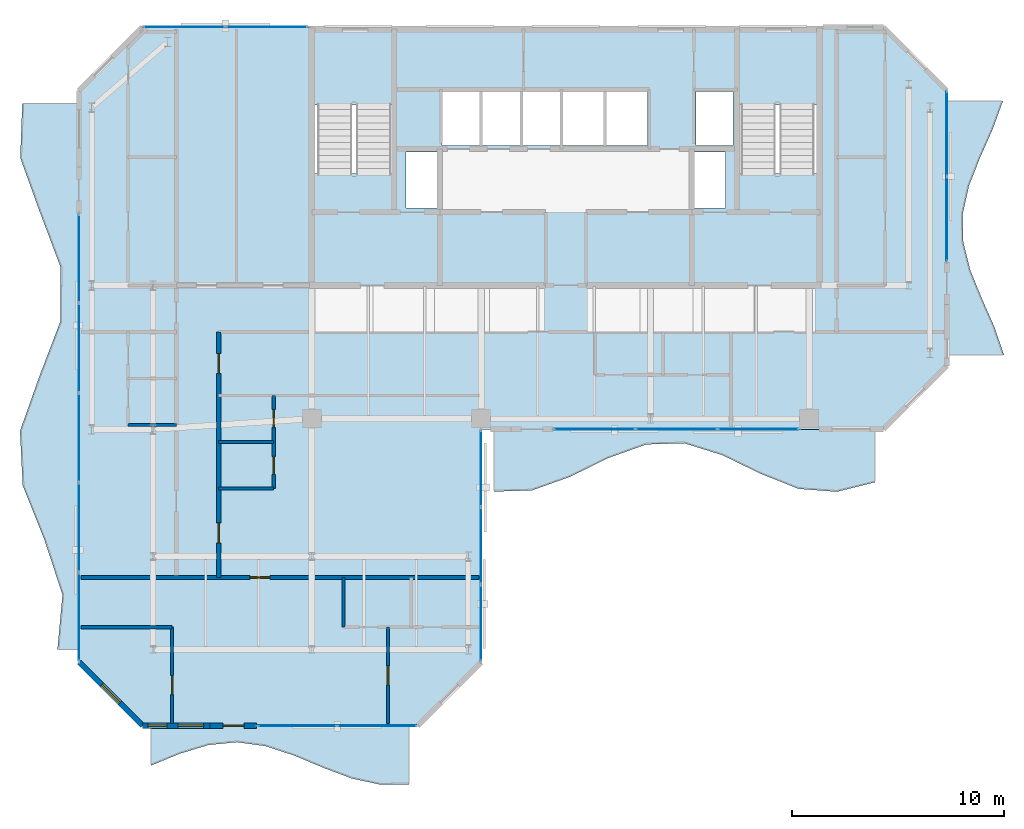
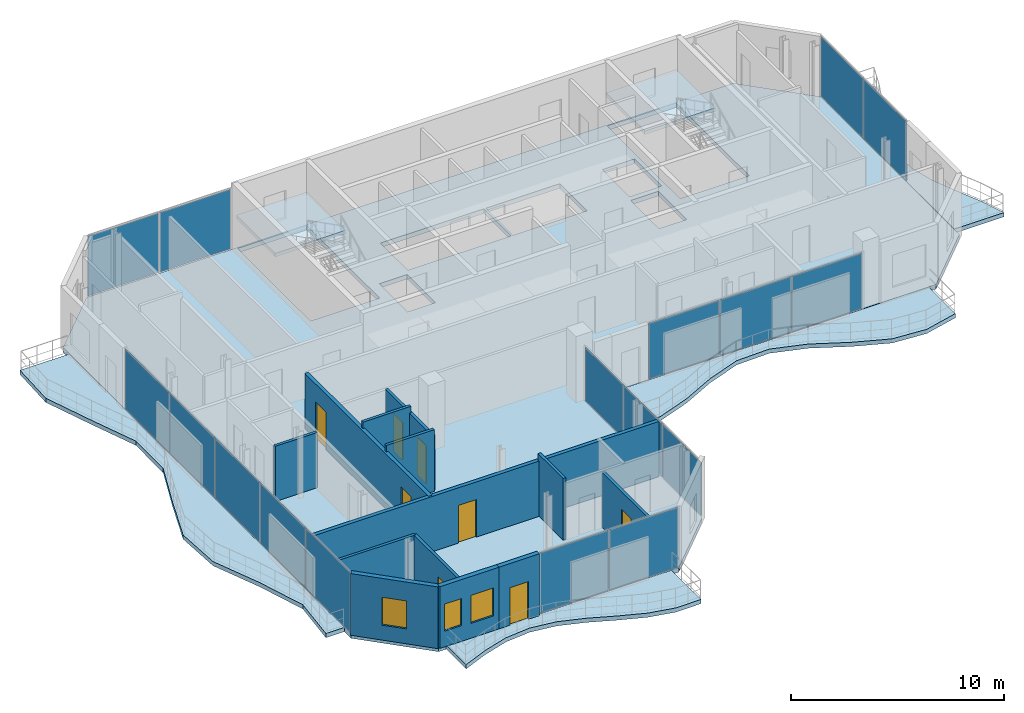
# One storey, part 17 of 23: 17 plates, 13 walls, 8 doors, 7 slabs, 3 windows, 11 openings, 8 elements without a shape of their own.
"""IFC4 building model written with IfcOpenShell, lengths in metres."""

from ifc_helpers import new_model, si_unit, direction, frame, frame_2d, origin, origin_2d, place, context, subcontext, project, spatial, polyline, rectangle, outline, extrude, material, layer, layer_set, type_object, element, fill, aggregate, save


model = new_model("IFC4")

# Units and contexts
model_context = context("Model", 3, precision=1e-05, world=origin(), true_north=direction((0.0, 1.0)))
body_context = subcontext(model_context, "Body", "Model", "MODEL_VIEW")
ifc_project = project(units=[si_unit("LENGTHUNIT", "METRE"), si_unit("AREAUNIT", "SQUARE_METRE"), si_unit("VOLUMEUNIT", "CUBIC_METRE"), si_unit("PLANEANGLEUNIT", "RADIAN"), si_unit("MASSUNIT", "GRAM", prefix="KILO")], contexts=[model_context])

# Site, building, storey
site_placement = place(None, origin())
site = spatial("IfcSite", under=ifc_project, at=site_placement, CompositionType="ELEMENT")
building_placement = place(site_placement, origin())
building = spatial("IfcBuilding", under=site, at=building_placement, Name="Catumbela Crestline Tower", CompositionType="ELEMENT")
storey_placement = place(building_placement, frame((0.0, 0.0, 245.0)))
storey = spatial("IfcBuildingStorey", under=building, at=storey_placement, Name="L63", CompositionType="ELEMENT", Elevation=245.0)

# Curtain wall, plates
ifc_material_1 = material(Name="Aluminium alloy AW-6060-T66", Category="aluminium")
ifc_layer_1 = layer(ifc_material_1, 0.18, Name="Aluminium alloy AW-6060-T66")
ifc_layer_set_1 = layer_set([ifc_layer_1], Name="Aluminium alloy AW-6060-T66")
curtain_wall_type = type_object("IfcCurtainWallType", Name="CWU-Z4", PredefinedType="USERDEFINED", material=ifc_layer_set_1)
curtain_wall_1_placement = place(storey_placement, origin())
curtain_wall_1 = element("IfcCurtainWall", 1, at=curtain_wall_1_placement, inside=storey, type_object=curtain_wall_type, Name="L63 Unitised Curtain Wall CW-L63-E0S2", ObjectType="UNITISED", PredefinedType="USERDEFINED")
ifc_material_2 = material(Name="Low-E laminated solar-control double glazing", Category="glass")
ifc_layer_2 = layer(ifc_material_2, 0.036, Name="Low-E laminated solar-control double glazing")
ifc_layer_set_2 = layer_set([ifc_layer_2], Name="Low-E laminated solar-control double glazing")
plate_type = type_object("IfcPlateType", Name="PNL-GLZ-Z4", PredefinedType="CURTAIN_PANEL", material=ifc_layer_set_2)
plate_1_placement = place(storey_placement, frame((15.3162, 10.0, 0.06), z_axis=(0.0, 0.0, 1.0), x_axis=(1.0, 0.0, 0.0)))
plate_1 = element("IfcPlate", 2, at=plate_1_placement, type_object=plate_type, Name="CWU-Z4 panel 1.1", PredefinedType="CURTAIN_PANEL", context=body_context, shape_type="SweptSolid", body=[
    extrude(rectangle(XDim=3.7025, YDim=0.034, at=origin_2d()), origin(), (0.0, 0.0, 1.0), 3.41),
])
plate_2_placement = place(storey_placement, frame((19.0837, 10.0, 0.06), z_axis=(0.0, 0.0, 1.0), x_axis=(1.0, 0.0, 0.0)))
plate_2 = element("IfcPlate", 3, at=plate_2_placement, type_object=plate_type, Name="CWU-Z4 panel 2.1", PredefinedType="CURTAIN_PANEL", context=body_context, shape_type="SweptSolid", body=[
    extrude(rectangle(XDim=3.7025, YDim=0.034, at=origin_2d()), origin(), (0.0, 0.0, 1.0), 3.41),
])
aggregate(curtain_wall_1, [plate_1, plate_2])

curtain_wall_2_placement = place(storey_placement, origin())
curtain_wall_2 = element("IfcCurtainWall", 4, at=curtain_wall_2_placement, inside=storey, type_object=curtain_wall_type, Name="L63 Unitised Curtain Wall CW-L63-E2S1", ObjectType="UNITISED", PredefinedType="USERDEFINED")
plate_3_placement = place(storey_placement, frame((24.0, 14.8496, 0.06), z_axis=(0.0, 0.0, 1.0), x_axis=(0.0, 1.0, 0.0)))
plate_3 = element("IfcPlate", 5, at=plate_3_placement, type_object=plate_type, Name="CWU-Z4 panel 1.1", PredefinedType="CURTAIN_PANEL", context=body_context, shape_type="SweptSolid", body=[
    extrude(rectangle(XDim=3.5692, YDim=0.034, at=origin_2d()), origin(), (0.0, 0.0, 1.0), 3.04),
])
plate_4_placement = place(storey_placement, frame((24.0, 18.5, 0.06), z_axis=(0.0, 0.0, 1.0), x_axis=(0.0, 1.0, 0.0)))
plate_4 = element("IfcPlate", 6, at=plate_4_placement, type_object=plate_type, Name="CWU-Z4 panel 2.1", PredefinedType="CURTAIN_PANEL", context=body_context, shape_type="SweptSolid", body=[
    extrude(rectangle(XDim=3.6017, YDim=0.034, at=origin_2d()), origin(), (0.0, 0.0, 1.0), 3.04),
])
plate_5_placement = place(storey_placement, frame((24.0, 22.1504, 0.06), z_axis=(0.0, 0.0, 1.0), x_axis=(0.0, 1.0, 0.0)))
plate_5 = element("IfcPlate", 7, at=plate_5_placement, type_object=plate_type, Name="CWU-Z4 panel 3.1", PredefinedType="CURTAIN_PANEL", context=body_context, shape_type="SweptSolid", body=[
    extrude(rectangle(XDim=3.5692, YDim=0.034, at=origin_2d()), origin(), (0.0, 0.0, 1.0), 3.04),
])
aggregate(curtain_wall_2, [plate_3, plate_4, plate_5])

curtain_wall_3_placement = place(storey_placement, origin())
curtain_wall_3 = element("IfcCurtainWall", 8, at=curtain_wall_3_placement, inside=storey, type_object=curtain_wall_type, Name="L63 Unitised Curtain Wall CW-L63-E3S2", ObjectType="UNITISED", PredefinedType="USERDEFINED")
plate_6_placement = place(storey_placement, frame((29.3579, 24.0, 0.06), z_axis=(0.0, 0.0, 1.0), x_axis=(1.0, 0.0, 0.0)))
plate_6 = element("IfcPlate", 9, at=plate_6_placement, type_object=plate_type, Name="CWU-Z4 panel 1.1", PredefinedType="CURTAIN_PANEL", context=body_context, shape_type="SweptSolid", body=[
    extrude(rectangle(XDim=3.7858, YDim=0.034, at=origin_2d()), origin(), (0.0, 0.0, 1.0), 3.15),
])
plate_7_placement = place(storey_placement, frame((33.225, 24.0, 0.06), z_axis=(0.0, 0.0, 1.0), x_axis=(1.0, 0.0, 0.0)))
plate_7 = element("IfcPlate", 10, at=plate_7_placement, type_object=plate_type, Name="CWU-Z4 panel 2.1", PredefinedType="CURTAIN_PANEL", context=body_context, shape_type="SweptSolid", body=[
    extrude(rectangle(XDim=3.8183, YDim=0.034, at=origin_2d()), origin(), (0.0, 0.0, 1.0), 3.15),
])
plate_8_placement = place(storey_placement, frame((37.0921, 24.0, 0.06), z_axis=(0.0, 0.0, 1.0), x_axis=(1.0, 0.0, 0.0)))
plate_8 = element("IfcPlate", 11, at=plate_8_placement, type_object=plate_type, Name="CWU-Z4 panel 3.1", PredefinedType="CURTAIN_PANEL", context=body_context, shape_type="SweptSolid", body=[
    extrude(rectangle(XDim=3.7858, YDim=0.034, at=origin_2d()), origin(), (0.0, 0.0, 1.0), 3.15),
])
aggregate(curtain_wall_3, [plate_6, plate_7, plate_8])

curtain_wall_4_placement = place(storey_placement, origin())
curtain_wall_4 = element("IfcCurtainWall", 12, at=curtain_wall_4_placement, inside=storey, type_object=curtain_wall_type, Name="L63 Unitised Curtain Wall CW-L63-E5S2", ObjectType="UNITISED", PredefinedType="USERDEFINED")
plate_9_placement = place(storey_placement, frame((46.0, 33.9412, 0.06), z_axis=(0.0, 0.0, 1.0), x_axis=(0.0, 1.0, 0.0)))
plate_9 = element("IfcPlate", 13, at=plate_9_placement, type_object=plate_type, Name="CWU-Z4 panel 1.1", PredefinedType="CURTAIN_PANEL", context=body_context, shape_type="SweptSolid", body=[
    extrude(rectangle(XDim=3.9525, YDim=0.034, at=origin_2d()), origin(), (0.0, 0.0, 1.0), 3.41),
])
plate_10_placement = place(storey_placement, frame((46.0, 37.9588, 0.06), z_axis=(0.0, 0.0, 1.0), x_axis=(0.0, 1.0, 0.0)))
plate_10 = element("IfcPlate", 14, at=plate_10_placement, type_object=plate_type, Name="CWU-Z4 panel 2.1", PredefinedType="CURTAIN_PANEL", context=body_context, shape_type="SweptSolid", body=[
    extrude(rectangle(XDim=3.9525, YDim=0.034, at=origin_2d()), origin(), (0.0, 0.0, 1.0), 3.41),
])
aggregate(curtain_wall_4, [plate_9, plate_10])

curtain_wall_5_placement = place(storey_placement, origin())
curtain_wall_5 = element("IfcCurtainWall", 15, at=curtain_wall_5_placement, inside=storey, type_object=curtain_wall_type, Name="L63 Unitised Curtain Wall CW-L63-E7S2", ObjectType="UNITISED", PredefinedType="USERDEFINED")
plate_11_placement = place(storey_placement, frame((13.8788, 43.0, 0.06), z_axis=(0.0, 0.0, 1.0), x_axis=(-1.0, 0.0, 0.0)))
plate_11 = element("IfcPlate", 16, at=plate_11_placement, type_object=plate_type, Name="CWU-Z4 panel 1.1", PredefinedType="CURTAIN_PANEL", context=body_context, shape_type="SweptSolid", body=[
    extrude(rectangle(XDim=3.8325, YDim=0.034, at=origin_2d()), origin(), (0.0, 0.0, 1.0), 3.41),
])
plate_12_placement = place(storey_placement, frame((9.9812, 43.0, 0.06), z_axis=(0.0, 0.0, 1.0), x_axis=(-1.0, 0.0, 0.0)))
plate_12 = element("IfcPlate", 17, at=plate_12_placement, type_object=plate_type, Name="CWU-Z4 panel 2.1", PredefinedType="CURTAIN_PANEL", context=body_context, shape_type="SweptSolid", body=[
    extrude(rectangle(XDim=3.8325, YDim=0.034, at=origin_2d()), origin(), (0.0, 0.0, 1.0), 3.41),
])
aggregate(curtain_wall_5, [plate_11, plate_12])

curtain_wall_6_placement = place(storey_placement, origin())
curtain_wall_6 = element("IfcCurtainWall", 18, at=curtain_wall_6_placement, inside=storey, type_object=curtain_wall_type, Name="L63 Unitised Curtain Wall CW-L63-E9S2", ObjectType="UNITISED", PredefinedType="USERDEFINED")
plate_13_placement = place(storey_placement, frame((5.0, 32.0638, 0.06), z_axis=(0.0, 0.0, 1.0), x_axis=(0.0, -1.0, 0.0)))
plate_13 = element("IfcPlate", 19, at=plate_13_placement, type_object=plate_type, Name="CWU-Z4 panel 1.1", PredefinedType="CURTAIN_PANEL", context=body_context, shape_type="SweptSolid", body=[
    extrude(rectangle(XDim=4.1425, YDim=0.034, at=origin_2d()), origin(), (0.0, 0.0, 1.0), 3.41),
])
plate_14_placement = place(storey_placement, frame((5.0, 27.84, 0.06), z_axis=(0.0, 0.0, 1.0), x_axis=(0.0, -1.0, 0.0)))
plate_14 = element("IfcPlate", 20, at=plate_14_placement, type_object=plate_type, Name="CWU-Z4 panel 2.1", PredefinedType="CURTAIN_PANEL", context=body_context, shape_type="SweptSolid", body=[
    extrude(rectangle(XDim=4.175, YDim=0.034, at=origin_2d()), origin(), (0.0, 0.0, 1.0), 3.41),
])
plate_15_placement = place(storey_placement, frame((5.0, 23.6, 0.06), z_axis=(0.0, 0.0, 1.0), x_axis=(0.0, -1.0, 0.0)))
plate_15 = element("IfcPlate", 21, at=plate_15_placement, type_object=plate_type, Name="CWU-Z4 panel 3.1", PredefinedType="CURTAIN_PANEL", context=body_context, shape_type="SweptSolid", body=[
    extrude(rectangle(XDim=4.175, YDim=0.034, at=origin_2d()), origin(), (0.0, 0.0, 1.0), 3.41),
])
plate_16_placement = place(storey_placement, frame((5.0, 19.36, 0.06), z_axis=(0.0, 0.0, 1.0), x_axis=(0.0, -1.0, 0.0)))
plate_16 = element("IfcPlate", 22, at=plate_16_placement, type_object=plate_type, Name="CWU-Z4 panel 4.1", PredefinedType="CURTAIN_PANEL", context=body_context, shape_type="SweptSolid", body=[
    extrude(rectangle(XDim=4.175, YDim=0.034, at=origin_2d()), origin(), (0.0, 0.0, 1.0), 3.41),
])
plate_17_placement = place(storey_placement, frame((5.0, 15.1362, 0.06), z_axis=(0.0, 0.0, 1.0), x_axis=(0.0, -1.0, 0.0)))
plate_17 = element("IfcPlate", 23, at=plate_17_placement, type_object=plate_type, Name="CWU-Z4 panel 5.1", PredefinedType="CURTAIN_PANEL", context=body_context, shape_type="SweptSolid", body=[
    extrude(rectangle(XDim=4.1425, YDim=0.034, at=origin_2d()), origin(), (0.0, 0.0, 1.0), 3.41),
])
aggregate(curtain_wall_6, [plate_13, plate_14, plate_15, plate_16, plate_17])

# Stair, slab
ifc_material_3 = material(Name="Concrete C45/55", Category="concrete")
stair_type = type_object("IfcStairType", Name="ST-DLG", PredefinedType="HALF_TURN_STAIR", material=ifc_material_3)
stair_1_placement = place(storey_placement, origin())
stair_1 = element("IfcStair", 24, at=stair_1_placement, inside=storey, type_object=stair_type, Name="L63 West Core Pressurised Exit Stair ST-01", PredefinedType="HALF_TURN_STAIR")
ifc_layer_3 = layer(ifc_material_3, 0.2, Name="Concrete C45/55")
ifc_layer_set_3 = layer_set([ifc_layer_3], Name="Concrete C45/55")
slab_type_1 = type_object("IfcSlabType", Name="SL-LND", PredefinedType="LANDING", material=ifc_layer_set_3)
slab_1_placement = place(storey_placement, frame((0.0, 0.0, 1.7)))
slab_1 = element("IfcSlab", 25, at=slab_1_placement, type_object=slab_type_1, Name="ST-01 landing 1", PredefinedType="LANDING", context=body_context, shape_type="SweptSolid", body=[
    extrude(outline(polyline([(19.91, 39.33), (19.91, 42.96), (16.09, 42.96), (16.09, 39.33), (19.91, 39.33)])), origin(), (0.0, 0.0, 1.0), 0.2),
])
aggregate(stair_1, [slab_1])

stair_2_placement = place(storey_placement, origin())
stair_2 = element("IfcStair", 26, at=stair_2_placement, inside=storey, type_object=stair_type, Name="L63 East Core Pressurised Exit Stair ST-02", PredefinedType="HALF_TURN_STAIR")
slab_2_placement = place(storey_placement, frame((0.0, 0.0, 1.7)))
slab_2 = element("IfcSlab", 27, at=slab_2_placement, type_object=slab_type_1, Name="ST-02 landing 1", PredefinedType="LANDING", context=body_context, shape_type="SweptSolid", body=[
    extrude(outline(polyline([(39.91, 39.33), (39.91, 42.96), (36.09, 42.96), (36.09, 39.33), (39.91, 39.33)])), origin(), (0.0, 0.0, 1.0), 0.2),
])
aggregate(stair_2, [slab_2])

# Slabs
ifc_layer_4 = layer(ifc_material_3, 0.26, Name="Concrete C45/55")
ifc_layer_set_4 = layer_set([ifc_layer_4], Name="Concrete C45/55")
slab_type_2 = type_object("IfcSlabType", Name="SL-260", PredefinedType="FLOOR", material=ifc_layer_set_4)
slab_3_placement = place(storey_placement, frame((0.0, 0.0, -0.26)))
element("IfcSlab", 28, at=slab_3_placement, inside=storey, type_object=slab_type_2, Name="L63 Structural Floor Slab", PredefinedType="FLOOR", context=body_context, shape_type="SweptSolid", body=[
    extrude(outline(polyline([(8.0, 10.0), (21.0, 10.0), (24.0, 13.0), (24.0, 24.0), (43.0, 24.0), (46.0, 27.0), (46.0, 40.0), (43.0, 43.0), (8.0, 43.0), (5.0, 40.0), (5.0, 13.0), (8.0, 10.0)]), holes=[polyline([(16.13, 36.08), (19.87, 36.08), (19.87, 42.92), (16.13, 42.92), (16.13, 36.08)]), polyline([(36.13, 36.08), (39.87, 36.08), (39.87, 42.92), (36.13, 42.92), (36.13, 36.08)]), polyline([(22.15, 37.4), (27.75, 37.4), (27.75, 39.95), (22.15, 39.95), (22.15, 37.4)]), polyline([(27.85, 37.4), (31.85, 37.4), (31.85, 39.95), (27.85, 39.95), (27.85, 37.4)]), polyline([(20.45, 34.45), (21.95, 34.45), (21.95, 37.1), (20.45, 37.1), (20.45, 34.45)]), polyline([(34.05, 34.45), (35.55, 34.45), (35.55, 37.1), (34.05, 37.1), (34.05, 34.45)]), polyline([(34.15, 37.4), (35.9, 37.4), (35.9, 39.95), (34.15, 39.95), (34.15, 37.4)])]), origin(), (0.0, 0.0, 1.0), 0.26),
])
ifc_layer_5 = layer(ifc_material_3, 0.24, Name="Concrete C45/55")
ifc_layer_set_5 = layer_set([ifc_layer_5], Name="Concrete C45/55")
slab_type_3 = type_object("IfcSlabType", Name="SB-240W", PredefinedType="USERDEFINED", material=ifc_layer_set_5)
slab_4_placement = place(storey_placement, frame((0.0, 0.0, -0.24)))
element("IfcSlab", 29, at=slab_4_placement, inside=storey, type_object=slab_type_3, Name="L63 Cantilevered Wave Balcony Slab SPINE-S", ObjectType="BALCONY", PredefinedType="USERDEFINED", context=body_context, shape_type="SweptSolid", body=[
    extrude(outline(polyline([(24.6, 21.0587), (26.4, 21.1142), (28.2, 21.7583), (30.0, 22.6417), (31.8, 23.2858), (33.6, 23.3413), (35.4, 22.7781), (37.2, 21.9016), (39.0, 21.1868), (40.8, 21.05), (42.6, 21.4947), (42.6, 23.99), (24.6, 23.99), (24.6, 21.0587)])), origin(), (0.0, 0.0, 1.0), 0.24),
])
slab_5_placement = place(storey_placement, frame((0.0, 0.0, -0.24)))
element("IfcSlab", 30, at=slab_5_placement, inside=storey, type_object=slab_type_3, Name="L63 Cantilevered Wave Balcony Slab SPINE-E", ObjectType="BALCONY", PredefinedType="USERDEFINED", context=body_context, shape_type="SweptSolid", body=[
    extrude(outline(polyline([(46.01, 27.5), (48.6999, 27.5), (48.2467, 28.8333), (47.6578, 30.1667), (47.1121, 31.5), (46.7754, 32.8333), (46.7501, 34.1667), (47.0439, 35.5), (47.5675, 36.8333), (48.1617, 38.1667), (48.646, 39.5), (46.01, 39.5), (46.01, 27.5)])), origin(), (0.0, 0.0, 1.0), 0.24),
])
slab_6_placement = place(storey_placement, frame((0.0, 0.0, -0.24)))
element("IfcSlab", 31, at=slab_6_placement, inside=storey, type_object=slab_type_3, Name="L63 Cantilevered Wave Balcony Slab WING-S", ObjectType="BALCONY", PredefinedType="USERDEFINED", context=body_context, shape_type="SweptSolid", body=[
    extrude(outline(polyline([(8.4, 8.1134), (9.7556, 8.6736), (11.1111, 9.0851), (12.4667, 9.2188), (13.8222, 9.0328), (15.1778, 8.5854), (16.5333, 8.0171), (17.8889, 7.5061), (19.2444, 7.2129), (20.6, 7.2296), (20.6, 9.99), (8.4, 9.99), (8.4, 8.1134)])), origin(), (0.0, 0.0, 1.0), 0.24),
])
slab_7_placement = place(storey_placement, frame((0.0, 0.0, -0.24)))
element("IfcSlab", 32, at=slab_7_placement, inside=storey, type_object=slab_type_3, Name="L63 Cantilevered Wave Balcony Slab WEST", ObjectType="BALCONY", PredefinedType="USERDEFINED", context=body_context, shape_type="SweptSolid", body=[
    extrude(outline(polyline([(4.99, 39.4), (2.3251, 39.4), (2.2295, 36.82), (3.1612, 34.24), (4.134, 31.66), (4.1181, 29.08), (3.1303, 26.5), (2.2163, 23.92), (2.3437, 21.34), (3.3775, 18.76), (4.2235, 16.18), (3.986, 13.6), (4.99, 13.6), (4.99, 39.4)])), origin(), (0.0, 0.0, 1.0), 0.24),
])

# Wall, openings, doors
ifc_material_4 = material(Name="Acoustic gypsum and mineral-wool partition")
ifc_layer_6 = layer(ifc_material_4, 0.2, Name="Acoustic gypsum and mineral-wool partition")
ifc_layer_set_6 = layer_set([ifc_layer_6], Name="Acoustic gypsum and mineral-wool partition")
wall_type_1 = type_object("IfcWallType", Name="WC-200", PredefinedType="PARTITIONING", material=ifc_layer_set_6)
wall_1_placement = place(storey_placement, frame((11.6, 17.0, 0.0), z_axis=(0.0, 0.0, 1.0), x_axis=(0.0, 1.0, 0.0)))
wall_1 = element("IfcWall", 33, at=wall_1_placement, inside=storey, type_object=wall_type_1, Name="L63 Interior Partition PW-L63-RWAM-ENT", PredefinedType="PARTITIONING", context=body_context, shape_type="SweptSolid", body=[
    extrude(rectangle(XDim=11.6, YDim=0.2, at=frame_2d((5.8, 0.0))), origin(), (0.0, 0.0, 1.0), 3.16),
])
opening_1_placement = place(wall_1_placement, frame((9.625, 0.0, 0.0)))
opening_1 = element("IfcOpeningElement", 34, at=opening_1_placement, cuts=wall_1, Name="Opening DF6-095", PredefinedType="OPENING", context=body_context, shape_type="SweptSolid", body=[
    extrude(rectangle(XDim=0.95, YDim=2.15, at=frame_2d((0.475, 1.075))), frame((0.0, 0.11, 0.0), z_axis=(0.0, -1.0, 0.0), x_axis=(1.0, 0.0, 0.0)), (0.0, 0.0, 1.0), 0.22),
])
opening_2_placement = place(wall_1_placement, frame((1.625, 0.0, 0.0)))
opening_2 = element("IfcOpeningElement", 35, at=opening_2_placement, cuts=wall_1, Name="Opening DF6-095", PredefinedType="OPENING", context=body_context, shape_type="SweptSolid", body=[
    extrude(rectangle(XDim=0.95, YDim=2.15, at=frame_2d((0.475, 1.075))), frame((0.0, 0.11, 0.0), z_axis=(0.0, -1.0, 0.0), x_axis=(1.0, 0.0, 0.0)), (0.0, 0.0, 1.0), 0.22),
])
door_type_1 = type_object("IfcDoorType", Name="DF6-095", OperationType="NOTDEFINED", PredefinedType="DOOR", material=ifc_material_1)
door_1_placement = place(opening_1_placement, origin())
door_1 = element("IfcDoor", 36, at=door_1_placement, inside=storey, type_object=door_type_1, Name="L63 Interior Door DR-L63-RWAM-ENT", OperationType="SINGLE_SWING_RIGHT", OverallHeight=2.15, OverallWidth=0.95, PredefinedType="DOOR", context=body_context, shape_type="SweptSolid", body=[
    extrude(rectangle(XDim=0.95, YDim=2.15, at=frame_2d((0.475, 1.075))), frame((0.0, 0.025, 0.0), z_axis=(0.0, -1.0, 0.0), x_axis=(1.0, 0.0, 0.0)), (0.0, 0.0, 1.0), 0.05),
])
fill(opening_1, door_1)
door_2_placement = place(opening_2_placement, origin())
door_2 = element("IfcDoor", 37, at=door_2_placement, inside=storey, type_object=door_type_1, Name="L63 Interior Door DR-L63-WR1-ENT", OperationType="SINGLE_SWING_LEFT", OverallHeight=2.15, OverallWidth=0.95, PredefinedType="DOOR", context=body_context, shape_type="SweptSolid", body=[
    extrude(rectangle(XDim=0.95, YDim=2.15, at=frame_2d((0.475, 1.075))), frame((0.0, 0.025, 0.0), z_axis=(0.0, -1.0, 0.0), x_axis=(1.0, 0.0, 0.0)), (0.0, 0.0, 1.0), 0.05),
])
fill(opening_2, door_2)

# Wall, opening, door
ifc_material_5 = material(Name="Angolan grey-ochre granite", Category="masonry")
ifc_layer_7 = layer(ifc_material_5, 0.25, Name="Angolan grey-ochre granite")
ifc_layer_set_7 = layer_set([ifc_layer_7], Name="Angolan grey-ochre granite")
wall_type_2 = type_object("IfcWallType", Name="WE-250", PredefinedType="STANDARD", material=ifc_layer_set_7)
wall_2_placement = place(storey_placement, frame((11.2, 10.0, 0.0), z_axis=(0.0, 0.0, 1.0), x_axis=(1.0, 0.0, 0.0)))
wall_2 = element("IfcWall", 38, at=wall_2_placement, inside=storey, type_object=wall_type_2, Name="L63 Exterior Threshold Portal Wall DR-L63-WBAL-3", PredefinedType="STANDARD", context=body_context, shape_type="SweptSolid", body=[
    extrude(rectangle(XDim=2.2, YDim=0.25, at=frame_2d((1.1, 0.0))), origin(), (0.0, 0.0, 1.0), 3.53),
])
opening_3_placement = place(wall_2_placement, frame((0.6, 0.0, 0.0)))
opening_3 = element("IfcOpeningElement", 39, at=opening_3_placement, cuts=wall_2, Name="Opening DB-L63-3", PredefinedType="OPENING", context=body_context, shape_type="SweptSolid", body=[
    extrude(rectangle(XDim=1.0, YDim=2.15, at=frame_2d((0.5, 1.075))), frame((0.0, 0.135, 0.0), z_axis=(0.0, -1.0, 0.0), x_axis=(1.0, 0.0, 0.0)), (0.0, 0.0, 1.0), 0.27),
])
door_type_2 = type_object("IfcDoorType", Name="DB-1000", OperationType="NOTDEFINED", PredefinedType="DOOR", material=ifc_material_1)
door_3_placement = place(opening_3_placement, origin())
door_3 = element("IfcDoor", 40, at=door_3_placement, inside=storey, type_object=door_type_2, Name="L63 Wave Balcony Terrace Door 3", OperationType="SINGLE_SWING_LEFT", OverallHeight=2.15, OverallWidth=1.0, PredefinedType="DOOR", context=body_context, shape_type="SweptSolid", body=[
    extrude(rectangle(XDim=1.0, YDim=2.15, at=frame_2d((0.5, 1.075))), frame((0.0, 0.025, 0.0), z_axis=(0.0, -1.0, 0.0), x_axis=(1.0, 0.0, 0.0)), (0.0, 0.0, 1.0), 0.05),
])
fill(opening_3, door_3)

# Wall, openings, windows
wall_3_placement = place(storey_placement, frame((8.0, 10.0, 0.0), z_axis=(0.0, 0.0, 1.0), x_axis=(1.0, 0.0, 0.0)))
wall_3 = element("IfcWall", 41, at=wall_3_placement, inside=storey, type_object=wall_type_2, Name="L63 Granite Punched Window Wall 0-1", PredefinedType="STANDARD", context=body_context, shape_type="SweptSolid", body=[
    extrude(rectangle(XDim=3.2, YDim=0.25, at=frame_2d((1.6, 0.0))), origin(), (0.0, 0.0, 1.0), 3.53),
])
opening_4_placement = place(wall_3_placement, frame((0.26, 0.0, 0.9)))
opening_4 = element("IfcOpeningElement", 42, at=opening_4_placement, cuts=wall_3, Name="Opening WN-03", PredefinedType="OPENING", context=body_context, shape_type="SweptSolid", body=[
    extrude(rectangle(XDim=0.9, YDim=1.55, at=frame_2d((0.45, 0.775))), frame((0.0, 0.135, 0.0), z_axis=(0.0, -1.0, 0.0), x_axis=(1.0, 0.0, 0.0)), (0.0, 0.0, 1.0), 0.27),
])
opening_5_placement = place(wall_3_placement, frame((1.69, 0.0, 0.85)))
opening_5 = element("IfcOpeningElement", 43, at=opening_5_placement, cuts=wall_3, Name="Opening WN-02", PredefinedType="OPENING", context=body_context, shape_type="SweptSolid", body=[
    extrude(rectangle(XDim=1.2, YDim=1.6, at=frame_2d((0.6, 0.8))), frame((0.0, 0.135, 0.0), z_axis=(0.0, -1.0, 0.0), x_axis=(1.0, 0.0, 0.0)), (0.0, 0.0, 1.0), 0.27),
])
window_type_1 = type_object("IfcWindowType", Name="WO-0900", PartitioningType="SINGLE_PANEL", PredefinedType="WINDOW", material=ifc_material_2)
window_1_placement = place(opening_4_placement, origin())
window_1 = element("IfcWindow", 44, at=window_1_placement, inside=storey, type_object=window_type_1, Name="L63 Facade Vision Window 468", OverallHeight=1.55, OverallWidth=0.9, PartitioningType="SINGLE_PANEL", PredefinedType="WINDOW", context=body_context, shape_type="SweptSolid", body=[
    extrude(rectangle(XDim=0.9, YDim=1.55, at=frame_2d((0.45, 0.775))), frame((0.0, 0.03, 0.0), z_axis=(0.0, -1.0, 0.0), x_axis=(1.0, 0.0, 0.0)), (0.0, 0.0, 1.0), 0.06),
])
fill(opening_4, window_1)
window_type_2 = type_object("IfcWindowType", Name="WO-1200", PartitioningType="SINGLE_PANEL", PredefinedType="WINDOW", material=ifc_material_2)
window_2_placement = place(opening_5_placement, origin())
window_2 = element("IfcWindow", 45, at=window_2_placement, inside=storey, type_object=window_type_2, Name="L63 Facade Vision Window 469", OverallHeight=1.6, OverallWidth=1.2, PartitioningType="SINGLE_PANEL", PredefinedType="WINDOW", context=body_context, shape_type="SweptSolid", body=[
    extrude(rectangle(XDim=1.2, YDim=1.6, at=frame_2d((0.6, 0.8))), frame((0.0, 0.03, 0.0), z_axis=(0.0, -1.0, 0.0), x_axis=(1.0, 0.0, 0.0)), (0.0, 0.0, 1.0), 0.06),
])
fill(opening_5, window_2)

# Wall, opening, window
wall_4_placement = place(storey_placement, frame((5.0, 13.0, 0.0), z_axis=(0.0, 0.0, 1.0), x_axis=(0.707106781187, -0.707106781187, 0.0)))
wall_4 = element("IfcWall", 46, at=wall_4_placement, inside=storey, type_object=wall_type_2, Name="L63 Granite Punched Window Wall 10-1", PredefinedType="STANDARD", context=body_context, shape_type="SweptSolid", body=[
    extrude(rectangle(XDim=4.2426, YDim=0.25, at=frame_2d((2.1213, 0.0))), origin(), (0.0, 0.0, 1.0), 3.53),
])
opening_6_placement = place(wall_4_placement, frame((1.5213, 0.0, 0.85)))
opening_6 = element("IfcOpeningElement", 47, at=opening_6_placement, cuts=wall_4, Name="Opening WN-02", PredefinedType="OPENING", context=body_context, shape_type="SweptSolid", body=[
    extrude(rectangle(XDim=1.2, YDim=1.6, at=frame_2d((0.6, 0.8))), frame((0.0, 0.135, 0.0), z_axis=(0.0, -1.0, 0.0), x_axis=(1.0, 0.0, 0.0)), (0.0, 0.0, 1.0), 0.27),
])
window_3_placement = place(opening_6_placement, origin())
window_3 = element("IfcWindow", 48, at=window_3_placement, inside=storey, type_object=window_type_2, Name="L63 Facade Vision Window 478", OverallHeight=1.6, OverallWidth=1.2, PartitioningType="SINGLE_PANEL", PredefinedType="WINDOW", context=body_context, shape_type="SweptSolid", body=[
    extrude(rectangle(XDim=1.2, YDim=1.6, at=frame_2d((0.6, 0.8))), frame((0.0, 0.03, 0.0), z_axis=(0.0, -1.0, 0.0), x_axis=(1.0, 0.0, 0.0)), (0.0, 0.0, 1.0), 0.06),
])
fill(opening_6, window_3)

# Walls
ifc_layer_8 = layer(ifc_material_4, 0.15, Name="Acoustic gypsum and mineral-wool partition")
ifc_layer_set_8 = layer_set([ifc_layer_8], Name="Acoustic gypsum and mineral-wool partition")
wall_type_3 = type_object("IfcWallType", Name="WP-150", PredefinedType="PARTITIONING", material=ifc_layer_set_8)
wall_5_placement = place(storey_placement, frame((7.32, 24.2, 0.0), z_axis=(0.0, 0.0, 1.0), x_axis=(1.0, 0.0, 0.0)))
element("IfcWall", 49, at=wall_5_placement, inside=storey, type_object=wall_type_3, Name="L63 Interior Partition PW-L63-WL1-KBS", PredefinedType="PARTITIONING", context=body_context, shape_type="SweptSolid", body=[
    extrude(rectangle(XDim=2.28, YDim=0.15, at=frame_2d((1.14, 0.0))), origin(), (0.0, 0.0, 1.0), 3.16),
])
for number, where, z_axis, x_axis, name in (
    (50, (11.6, 21.2, 0.0), (0.0, 0.0, 1.0), (1.0, 0.0, 0.0), "L63 Interior Partition PW-L63-WR1-KBS"),
    (51, (11.6, 23.4, 0.0), (0.0, 0.0, 1.0), (1.0, 0.0, 0.0), "L63 Interior Partition PW-L63-WR1-KBM"),
):
    element("IfcWall", number, at=place(storey_placement, frame(where, z_axis=z_axis, x_axis=x_axis)), inside=storey, type_object=wall_type_3, Name=name, PredefinedType="PARTITIONING", context=body_context, shape_type="SweptSolid", body=[
        extrude(rectangle(XDim=2.6, YDim=0.15, at=frame_2d((1.3, 0.0))), origin(), (0.0, 0.0, 1.0), 3.53),
    ])

# Wall, openings, doors
wall_6_placement = place(storey_placement, frame((14.2, 21.2, 0.0), z_axis=(0.0, 0.0, 1.0), x_axis=(0.0, 1.0, 0.0)))
wall_6 = element("IfcWall", 52, at=wall_6_placement, inside=storey, type_object=wall_type_3, Name="L63 Interior Partition PW-L63-WR1-SK1", PredefinedType="PARTITIONING", context=body_context, shape_type="SweptSolid", body=[
    extrude(rectangle(XDim=4.4, YDim=0.15, at=frame_2d((2.2, 0.0))), origin(), (0.0, 0.0, 1.0), 3.16),
])
opening_7_placement = place(wall_6_placement, frame((0.675, 0.0, 0.0)))
opening_7 = element("IfcOpeningElement", 53, at=opening_7_placement, cuts=wall_6, Name="Opening DI-085", PredefinedType="OPENING", context=body_context, shape_type="SweptSolid", body=[
    extrude(rectangle(XDim=0.85, YDim=2.15, at=frame_2d((0.425, 1.075))), frame((0.0, 0.085, 0.0), z_axis=(0.0, -1.0, 0.0), x_axis=(1.0, 0.0, 0.0)), (0.0, 0.0, 1.0), 0.17),
])
opening_8_placement = place(wall_6_placement, frame((2.875, 0.0, 0.0)))
opening_8 = element("IfcOpeningElement", 54, at=opening_8_placement, cuts=wall_6, Name="Opening DI-085", PredefinedType="OPENING", context=body_context, shape_type="SweptSolid", body=[
    extrude(rectangle(XDim=0.85, YDim=2.15, at=frame_2d((0.425, 1.075))), frame((0.0, 0.085, 0.0), z_axis=(0.0, -1.0, 0.0), x_axis=(1.0, 0.0, 0.0)), (0.0, 0.0, 1.0), 0.17),
])
door_type_3 = type_object("IfcDoorType", Name="DI-085", OperationType="NOTDEFINED", PredefinedType="DOOR", material=ifc_material_1)
door_4_placement = place(opening_7_placement, origin())
door_4 = element("IfcDoor", 55, at=door_4_placement, inside=storey, type_object=door_type_3, Name="L63 Interior Door DR-L63-WR1-KIT", OperationType="SINGLE_SWING_LEFT", OverallHeight=2.15, OverallWidth=0.85, PredefinedType="DOOR", context=body_context, shape_type="SweptSolid", body=[
    extrude(rectangle(XDim=0.85, YDim=2.15, at=frame_2d((0.425, 1.075))), frame((0.0, 0.025, 0.0), z_axis=(0.0, -1.0, 0.0), x_axis=(1.0, 0.0, 0.0)), (0.0, 0.0, 1.0), 0.05),
])
fill(opening_7, door_4)
door_5_placement = place(opening_8_placement, origin())
door_5 = element("IfcDoor", 56, at=door_5_placement, inside=storey, type_object=door_type_3, Name="L63 Interior Door DR-L63-WR1-BTH", OperationType="SINGLE_SWING_RIGHT", OverallHeight=2.15, OverallWidth=0.85, PredefinedType="DOOR", context=body_context, shape_type="SweptSolid", body=[
    extrude(rectangle(XDim=0.85, YDim=2.15, at=frame_2d((0.425, 1.075))), frame((0.0, 0.025, 0.0), z_axis=(0.0, -1.0, 0.0), x_axis=(1.0, 0.0, 0.0)), (0.0, 0.0, 1.0), 0.05),
])
fill(opening_8, door_5)

# Walls
wall_7_placement = place(storey_placement, frame((17.5, 14.65, 0.0), z_axis=(0.0, 0.0, 1.0), x_axis=(0.0, 1.0, 0.0)))
element("IfcWall", 57, at=wall_7_placement, inside=storey, type_object=wall_type_3, Name="L63 Interior Partition PW-L63-SH1-KBW", PredefinedType="PARTITIONING", context=body_context, shape_type="SweptSolid", body=[
    extrude(rectangle(XDim=2.35, YDim=0.15, at=frame_2d((1.175, 0.0))), origin(), (0.0, 0.0, 1.0), 3.53),
])
wall_8_placement = place(storey_placement, frame((5.1, 14.65, 0.0), z_axis=(0.0, 0.0, 1.0), x_axis=(1.0, 0.0, 0.0)))
element("IfcWall", 58, at=wall_8_placement, inside=storey, type_object=wall_type_3, Name="L63 Interior Partition PW-L63-SH1-BDLH", PredefinedType="PARTITIONING", context=body_context, shape_type="SweptSolid", body=[
    extrude(rectangle(XDim=4.3, YDim=0.15, at=frame_2d((2.15, 0.0))), origin(), (0.0, 0.0, 1.0), 3.16),
])

# Wall, opening, door
wall_9_placement = place(storey_placement, frame((9.4, 10.1, 0.0), z_axis=(0.0, 0.0, 1.0), x_axis=(0.0, 1.0, 0.0)))
wall_9 = element("IfcWall", 59, at=wall_9_placement, inside=storey, type_object=wall_type_3, Name="L63 Interior Partition PW-L63-SH1-BDL", PredefinedType="PARTITIONING", context=body_context, shape_type="SweptSolid", body=[
    extrude(rectangle(XDim=4.55, YDim=0.15, at=frame_2d((2.275, 0.0))), origin(), (0.0, 0.0, 1.0), 3.16),
])
opening_9_placement = place(wall_9_placement, frame((1.3648, 0.0, 0.0)))
opening_9 = element("IfcOpeningElement", 60, at=opening_9_placement, cuts=wall_9, Name="Opening DI-090", PredefinedType="OPENING", context=body_context, shape_type="SweptSolid", body=[
    extrude(rectangle(XDim=0.9, YDim=2.15, at=frame_2d((0.45, 1.075))), frame((0.0, 0.085, 0.0), z_axis=(0.0, -1.0, 0.0), x_axis=(1.0, 0.0, 0.0)), (0.0, 0.0, 1.0), 0.17),
])
door_type_4 = type_object("IfcDoorType", Name="DI-090", OperationType="NOTDEFINED", PredefinedType="DOOR", material=ifc_material_1)
door_6_placement = place(opening_9_placement, origin())
door_6 = element("IfcDoor", 61, at=door_6_placement, inside=storey, type_object=door_type_4, Name="L63 Interior Door DR-L63-SH1-BD1", OperationType="SINGLE_SWING_LEFT", OverallHeight=2.15, OverallWidth=0.9, PredefinedType="DOOR", context=body_context, shape_type="SweptSolid", body=[
    extrude(rectangle(XDim=0.9, YDim=2.15, at=frame_2d((0.45, 1.075))), frame((0.0, 0.025, 0.0), z_axis=(0.0, -1.0, 0.0), x_axis=(1.0, 0.0, 0.0)), (0.0, 0.0, 1.0), 0.05),
])
fill(opening_9, door_6)

wall_10_placement = place(storey_placement, frame((19.6, 10.1, 0.0), z_axis=(0.0, 0.0, 1.0), x_axis=(0.0, 1.0, 0.0)))
wall_10 = element("IfcWall", 62, at=wall_10_placement, inside=storey, type_object=wall_type_3, Name="L63 Interior Partition PW-L63-SH1-BDR", PredefinedType="PARTITIONING", context=body_context, shape_type="SweptSolid", body=[
    extrude(rectangle(XDim=4.55, YDim=0.15, at=frame_2d((2.275, 0.0))), origin(), (0.0, 0.0, 1.0), 3.16),
])
opening_10_placement = place(wall_10_placement, frame((1.825, 0.0, 0.0)))
opening_10 = element("IfcOpeningElement", 63, at=opening_10_placement, cuts=wall_10, Name="Opening DI-090", PredefinedType="OPENING", context=body_context, shape_type="SweptSolid", body=[
    extrude(rectangle(XDim=0.9, YDim=2.15, at=frame_2d((0.45, 1.075))), frame((0.0, 0.085, 0.0), z_axis=(0.0, -1.0, 0.0), x_axis=(1.0, 0.0, 0.0)), (0.0, 0.0, 1.0), 0.17),
])
door_7_placement = place(opening_10_placement, origin())
door_7 = element("IfcDoor", 64, at=door_7_placement, inside=storey, type_object=door_type_4, Name="L63 Interior Door DR-L63-SH1-BD2", OperationType="SINGLE_SWING_RIGHT", OverallHeight=2.15, OverallWidth=0.9, PredefinedType="DOOR", context=body_context, shape_type="SweptSolid", body=[
    extrude(rectangle(XDim=0.9, YDim=2.15, at=frame_2d((0.45, 1.075))), frame((0.0, 0.025, 0.0), z_axis=(0.0, -1.0, 0.0), x_axis=(1.0, 0.0, 0.0)), (0.0, 0.0, 1.0), 0.05),
])
fill(opening_10, door_7)

ifc_layer_9 = layer(ifc_material_4, 0.2, Name="Acoustic gypsum and mineral-wool partition")
ifc_layer_set_9 = layer_set([ifc_layer_9], Name="Acoustic gypsum and mineral-wool partition")
wall_type_4 = type_object("IfcWallType", Name="WY-200", PredefinedType="PARTITIONING", material=ifc_layer_set_9)
wall_11_placement = place(storey_placement, frame((5.1, 17.0, 0.0), z_axis=(0.0, 0.0, 1.0), x_axis=(1.0, 0.0, 0.0)))
wall_11 = element("IfcWall", 65, at=wall_11_placement, inside=storey, type_object=wall_type_4, Name="L63 Interior Partition PW-L63-SH-WL", PredefinedType="PARTITIONING", context=body_context, shape_type="SweptSolid", body=[
    extrude(rectangle(XDim=18.8, YDim=0.2, at=frame_2d((9.4, 0.0))), origin(), (0.0, 0.0, 1.0), 3.16),
])
opening_11_placement = place(wall_11_placement, frame((7.975, 0.0, 0.0)))
opening_11 = element("IfcOpeningElement", 66, at=opening_11_placement, cuts=wall_11, Name="Opening DF6-095", PredefinedType="OPENING", context=body_context, shape_type="SweptSolid", body=[
    extrude(rectangle(XDim=0.95, YDim=2.15, at=frame_2d((0.475, 1.075))), frame((0.0, 0.11, 0.0), z_axis=(0.0, -1.0, 0.0), x_axis=(1.0, 0.0, 0.0)), (0.0, 0.0, 1.0), 0.22),
])
door_8_placement = place(opening_11_placement, origin())
door_8 = element("IfcDoor", 67, at=door_8_placement, inside=storey, type_object=door_type_1, Name="L63 Interior Door DR-L63-SH1-ENT", OperationType="SINGLE_SWING_LEFT", OverallHeight=2.15, OverallWidth=0.95, PredefinedType="DOOR", context=body_context, shape_type="SweptSolid", body=[
    extrude(rectangle(XDim=0.95, YDim=2.15, at=frame_2d((0.475, 1.075))), frame((0.0, 0.025, 0.0), z_axis=(0.0, -1.0, 0.0), x_axis=(1.0, 0.0, 0.0)), (0.0, 0.0, 1.0), 0.05),
])
fill(opening_11, door_8)

save(model, "model.ifc")
